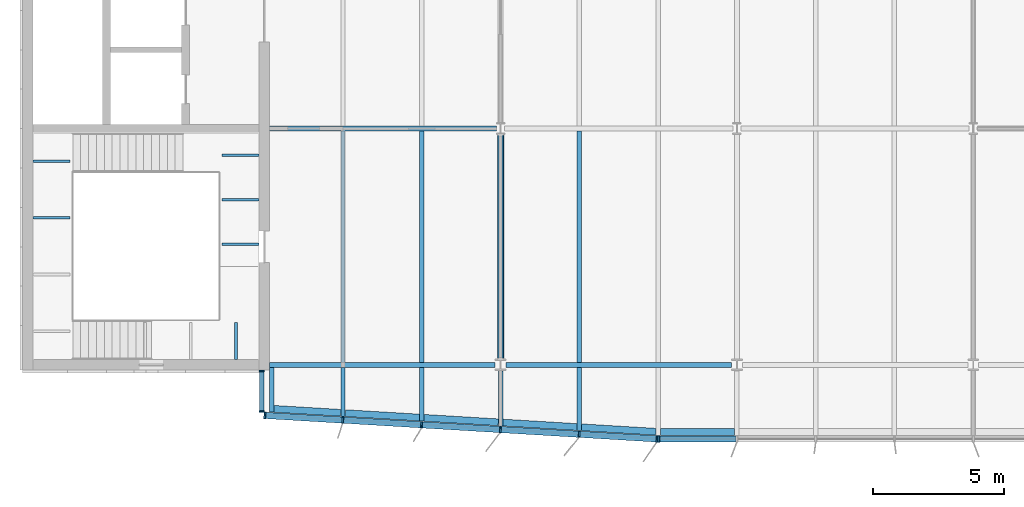
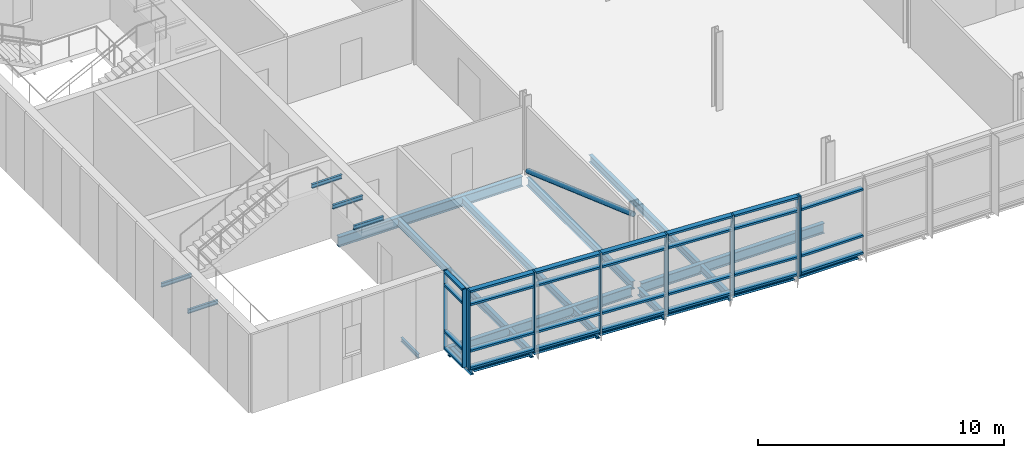
# One storey, part 2 of 18: 37 members, 24 beams, 3 elements without a shape of their own.
"""IFC4 building model written with IfcOpenShell, lengths in metres."""

from ifc_helpers import new_model, si_unit, direction, frame, origin, origin_2d, place, context, subcontext, project, spatial, rectangle, hollow_circle, i_section, extrude, material, material_profile, profile_set, type_object, element, aggregate, save


model = new_model("IFC4")

# Units and contexts
model_context = context("Model", 3, precision=1e-05, world=origin(), true_north=direction((0.0, 1.0)))
body_context = subcontext(model_context, "Body", "Model", "MODEL_VIEW")
ifc_project = project(units=[si_unit("LENGTHUNIT", "METRE"), si_unit("AREAUNIT", "SQUARE_METRE"), si_unit("VOLUMEUNIT", "CUBIC_METRE"), si_unit("PLANEANGLEUNIT", "RADIAN"), si_unit("MASSUNIT", "GRAM", prefix="KILO")], contexts=[model_context])

# Site, building, storey
site_placement = place(None, origin())
site = spatial("IfcSite", under=ifc_project, at=site_placement, CompositionType="ELEMENT")
building_placement = place(site_placement, origin())
building = spatial("IfcBuilding", under=site, at=building_placement, Name="Azimuth Sports and Learning Centre", CompositionType="ELEMENT")
storey_placement = place(building_placement, frame((0.0, 0.0, 59.699951171875)))
storey = spatial("IfcBuildingStorey", under=building, at=storey_placement, Name="L13", CompositionType="ELEMENT", Elevation=59.699951171875)

# Beams
ifc_material_1 = material(Name="Steel S355", Category="steel")
ifc_material_profile_1 = material_profile(ifc_material_1, i_section(OverallWidth=0.10009765625, OverallDepth=0.199951171875, WebThickness=0.005615234375, FlangeThickness=0.008544921875, FilletRadius=0.011962890625, at=origin_2d()), Name="IPE 200")
ifc_profile_set_1 = profile_set([ifc_material_profile_1], Name="Steel S355")
beam_type_1 = type_object("IfcBeamType", Name="Beam IPE 200", PredefinedType="BEAM", material=ifc_profile_set_1)
for number, where, z_axis, x_axis, name in (
    (1, (61.9267578125, 90.199951171875, -0.300048828125), (0.0, 1.0, 0.0), (-1.0, 0.0, 0.0), "Landing bracket W1 L13 131"),
    (2, (54.199951171875, 95.603759765625, 1.35009765625), (1.0, 0.0, 0.0), (0.0, 1.0, 0.0), "Landing bracket W1 L13 134"),
    (3, (54.199951171875, 97.76123046875, 1.35009765625), (1.0, 0.0, 0.0), (0.0, 1.0, 0.0), "Landing bracket W1 L13 135"),
    (4, (62.800048828125, 94.598388671875, 3.60009765625), (-1.0, 0.0, 0.0), (0.0, -1.0, 0.0), "Landing bracket W1 L13 136"),
    (5, (62.800048828125, 96.294921875, 3.60009765625), (-1.0, 0.0, 0.0), (0.0, -1.0, 0.0), "Landing bracket W1 L13 137"),
    (6, (62.800048828125, 97.99169921875, 3.60009765625), (-1.0, 0.0, 0.0), (0.0, -1.0, 0.0), "Landing bracket W1 L13 138"),
):
    element("IfcBeam", number, at=place(storey_placement, frame(where, z_axis=z_axis, x_axis=x_axis)), inside=storey, type_object=beam_type_1, Name=name, PredefinedType="BEAM", context=body_context, shape_type="SweptSolid", body=[
        extrude(i_section(OverallWidth=0.10009765625, OverallDepth=0.199951171875, WebThickness=0.005615234375, FlangeThickness=0.008544921875, FilletRadius=0.011962890625, at=origin_2d()), origin(), (0.0, 0.0, 1.0), 1.41015625),
    ])
ifc_material_2 = material(Name="Steel S355", Category="steel")
ifc_material_profile_2 = material_profile(ifc_material_2, i_section(OverallWidth=0.179931640625, OverallDepth=0.39990234375, WebThickness=0.008544921875, FlangeThickness=0.013427734375, FilletRadius=0.02099609375, at=origin_2d()), Name="IPE 400")
ifc_profile_set_2 = profile_set([ifc_material_profile_2], Name="Steel S355")
beam_type_2 = type_object("IfcBeamType", Name="Beam IPE 400", PredefinedType="BEAM", material=ifc_profile_set_2)
beam_1_placement = place(storey_placement, frame((72.0, 90.2275390625, -0.329833984375), z_axis=(0.0, 1.0, 0.0), x_axis=(-1.0, 0.0, 0.0)))
element("IfcBeam", 7, at=beam_1_placement, inside=storey, type_object=beam_type_2, Name="Tower tie", PredefinedType="BEAM", context=body_context, shape_type="SweptSolid", body=[
    extrude(i_section(OverallWidth=0.179931640625, OverallDepth=0.39990234375, WebThickness=0.008544921875, FlangeThickness=0.013427734375, FilletRadius=0.02099609375, at=origin_2d()), origin(), (0.0, 0.0, 1.0), 8.556396484375),
])
ifc_material_3 = material(Name="Steel S355", Category="steel")
ifc_material_profile_3 = material_profile(ifc_material_3, i_section(OverallWidth=0.199951171875, OverallDepth=0.5, WebThickness=0.01025390625, FlangeThickness=0.01611328125, FilletRadius=0.02099609375, at=origin_2d()), Name="IPE 500")
ifc_profile_set_3 = profile_set([ifc_material_profile_3], Name="Steel S355")
beam_type_3 = type_object("IfcBeamType", Name="Beam IPE 500", PredefinedType="BEAM", material=ifc_profile_set_3)
beam_2_placement = place(storey_placement, frame((63.199951171875, 90.0, -0.3798828125), z_axis=(1.0, 0.0, 0.0), x_axis=(0.0, 1.0, 0.0)))
element("IfcBeam", 8, at=beam_2_placement, inside=storey, type_object=beam_type_3, Name="Tower girder L13", PredefinedType="BEAM", context=body_context, shape_type="SweptSolid", body=[
    extrude(i_section(OverallWidth=0.199951171875, OverallDepth=0.5, WebThickness=0.01025390625, FlangeThickness=0.01611328125, FilletRadius=0.02099609375, at=origin_2d()), origin(), (0.0, 0.0, 1.0), 8.591064453125),
])
beam_3_placement = place(storey_placement, frame((72.208984375, 90.0, -0.3798828125), z_axis=(1.0, 0.0, 0.0), x_axis=(0.0, 1.0, 0.0)))
element("IfcBeam", 9, at=beam_3_placement, inside=storey, type_object=beam_type_3, Name="Tower girder L13", PredefinedType="BEAM", context=body_context, shape_type="SweptSolid", body=[
    extrude(i_section(OverallWidth=0.199951171875, OverallDepth=0.5, WebThickness=0.01025390625, FlangeThickness=0.01611328125, FilletRadius=0.02099609375, at=origin_2d()), origin(), (0.0, 0.0, 1.0), 8.58203125),
])
beam_4_placement = place(storey_placement, frame((63.199951171875, 99.0, -0.3798828125), z_axis=(1.0, 0.0, 0.0), x_axis=(0.0, 1.0, 0.0)))
element("IfcBeam", 10, at=beam_4_placement, inside=storey, type_object=beam_type_3, Name="Tower girder L13", PredefinedType="BEAM", context=body_context, shape_type="SweptSolid", body=[
    extrude(i_section(OverallWidth=0.199951171875, OverallDepth=0.5, WebThickness=0.01025390625, FlangeThickness=0.01611328125, FilletRadius=0.02099609375, at=origin_2d()), origin(), (0.0, 0.0, 1.0), 8.646484375),
])

# Member
ifc_material_4 = material(Name="Steel S355", Category="steel")
ifc_material_profile_4 = material_profile(ifc_material_4, hollow_circle(Radius=0.122314453125, WallThickness=0.012451171875, at=origin_2d()), Name="CHS 244.5x12.5")
ifc_profile_set_4 = profile_set([ifc_material_profile_4], Name="Steel S355")
member_type_1 = type_object("IfcMemberType", Name="Brace CHS 244.5x12.5", PredefinedType="BRACE", material=ifc_profile_set_4)
member_1_placement = place(storey_placement, frame((72.0, 90.238525390625, 3.200439453125), z_axis=(0.0, 0.942219611657, -0.334995825957), x_axis=(-1.0, 0.0, 0.0)))
element("IfcMember", 11, at=member_1_placement, inside=storey, type_object=member_type_1, Name="Tower brace 9 L13", PredefinedType="BRACE", context=body_context, shape_type="SweptSolid", body=[
    extrude(hollow_circle(Radius=0.122314453125, WallThickness=0.012451171875, at=origin_2d()), origin(), (0.0, 0.0, 1.0), 9.047119140625),
])

# Beams
ifc_material_5 = material(Name="Steel S355", Category="steel")
ifc_material_profile_5 = material_profile(ifc_material_5, i_section(OverallWidth=0.169921875, OverallDepth=0.360107421875, WebThickness=0.008056640625, FlangeThickness=0.0126953125, FilletRadius=0.01806640625, at=origin_2d()), Name="IPE 360")
ifc_profile_set_5 = profile_set([ifc_material_profile_5], Name="Steel S355")
beam_type_4 = type_object("IfcBeamType", Name="Cantilever stub IPE 360", PredefinedType="JOIST", material=ifc_profile_set_5)
beam_5_placement = place(storey_placement, frame((63.284912109375, 89.89990234375, -0.31005859375), z_axis=(0.0, -1.0, 0.0), x_axis=(1.0, 0.0, 0.0)))
element("IfcBeam", 12, at=beam_5_placement, inside=storey, type_object=beam_type_4, Name="Tower cantilever stub", PredefinedType="JOIST", context=body_context, shape_type="SweptSolid", body=[
    extrude(i_section(OverallWidth=0.169921875, OverallDepth=0.360107421875, WebThickness=0.008056640625, FlangeThickness=0.0126953125, FilletRadius=0.01806640625, at=origin_2d()), origin(), (0.0, 0.0, 1.0), 1.697021484375),
])
beam_6_placement = place(storey_placement, frame((66.0, 89.89990234375, -0.31005859375), z_axis=(0.0, -1.0, 0.0), x_axis=(1.0, 0.0, 0.0)))
element("IfcBeam", 13, at=beam_6_placement, inside=storey, type_object=beam_type_4, Name="Tower cantilever stub", PredefinedType="JOIST", context=body_context, shape_type="SweptSolid", body=[
    extrude(i_section(OverallWidth=0.169921875, OverallDepth=0.360107421875, WebThickness=0.008056640625, FlangeThickness=0.0126953125, FilletRadius=0.01806640625, at=origin_2d()), origin(), (0.0, 0.0, 1.0), 1.85986328125),
])
beam_7_placement = place(storey_placement, frame((69.0, 89.89990234375, -0.31005859375), z_axis=(0.0, -1.0, 0.0), x_axis=(1.0, 0.0, 0.0)))
element("IfcBeam", 14, at=beam_7_placement, inside=storey, type_object=beam_type_4, Name="Tower cantilever stub", PredefinedType="JOIST", context=body_context, shape_type="SweptSolid", body=[
    extrude(i_section(OverallWidth=0.169921875, OverallDepth=0.360107421875, WebThickness=0.008056640625, FlangeThickness=0.0126953125, FilletRadius=0.01806640625, at=origin_2d()), origin(), (0.0, 0.0, 1.0), 2.039794921875),
])
beam_8_placement = place(storey_placement, frame((72.0, 89.7724609375, -0.31005859375), z_axis=(0.0, -1.0, 0.0), x_axis=(1.0, 0.0, 0.0)))
element("IfcBeam", 15, at=beam_8_placement, inside=storey, type_object=beam_type_4, Name="Tower cantilever stub", PredefinedType="JOIST", context=body_context, shape_type="SweptSolid", body=[
    extrude(i_section(OverallWidth=0.169921875, OverallDepth=0.360107421875, WebThickness=0.008056640625, FlangeThickness=0.0126953125, FilletRadius=0.01806640625, at=origin_2d()), origin(), (0.0, 0.0, 1.0), 2.092529296875),
])
beam_9_placement = place(storey_placement, frame((75.0, 89.89990234375, -0.31005859375), z_axis=(0.0, -1.0, 0.0), x_axis=(1.0, 0.0, 0.0)))
element("IfcBeam", 16, at=beam_9_placement, inside=storey, type_object=beam_type_4, Name="Tower cantilever stub", PredefinedType="JOIST", context=body_context, shape_type="SweptSolid", body=[
    extrude(i_section(OverallWidth=0.169921875, OverallDepth=0.360107421875, WebThickness=0.008056640625, FlangeThickness=0.0126953125, FilletRadius=0.01806640625, at=origin_2d()), origin(), (0.0, 0.0, 1.0), 2.39990234375),
])
ifc_material_6 = material(Name="Steel S355", Category="steel")
ifc_material_profile_6 = material_profile(ifc_material_6, i_section(OverallWidth=0.260009765625, OverallDepth=0.25, WebThickness=0.007568359375, FlangeThickness=0.012451171875, FilletRadius=0.02392578125, at=origin_2d()), Name="HEA 260")
ifc_profile_set_6 = profile_set([ifc_material_profile_6], Name="Steel S355")
beam_type_5 = type_object("IfcBeamType", Name="Edge beam HEA 260", PredefinedType="SPANDREL", material=ifc_profile_set_6)
beam_10_placement = place(storey_placement, frame((63.3701171875, 88.327880859375, -0.2548828125), z_axis=(0.998201638043, -0.05994572385, 0.0), x_axis=(0.05994572385, 0.998201638043, 0.0)))
element("IfcBeam", 17, at=beam_10_placement, inside=storey, type_object=beam_type_5, Name="Tower edge beam", PredefinedType="SPANDREL", context=body_context, shape_type="SweptSolid", body=[
    extrude(i_section(OverallWidth=0.260009765625, OverallDepth=0.25, WebThickness=0.007568359375, FlangeThickness=0.012451171875, FilletRadius=0.02392578125, at=origin_2d()), origin(), (0.0, 0.0, 1.0), 2.549560546875),
])
for number, where, z_axis, x_axis, name in (
    (18, (66.0849609375, 88.164794921875, -0.2548828125), (0.998207521518, -0.059847673176, 0.0), (0.059847673176, 0.998207521518, 0.0), "Tower edge beam"),
    (19, (69.0849609375, 87.98486328125, -0.2548828125), (0.998207521518, -0.059847673176, 0.0), (0.059847673176, 0.998207521518, 0.0), "Tower edge beam"),
    (20, (72.0849609375, 87.804931640625, -0.2548828125), (0.998202373506, -0.059933475842, 0.0), (0.059933475842, 0.998202373506, 0.0), "Tower edge beam"),
    (21, (75.0849609375, 87.625, -0.2548828125), (0.998202373506, -0.059933475842, 0.0), (0.059933475842, 0.998202373506, 0.0), "Tower edge beam"),
):
    element("IfcBeam", number, at=place(storey_placement, frame(where, z_axis=z_axis, x_axis=x_axis)), inside=storey, type_object=beam_type_5, Name=name, PredefinedType="SPANDREL", context=body_context, shape_type="SweptSolid", body=[
        extrude(i_section(OverallWidth=0.260009765625, OverallDepth=0.25, WebThickness=0.007568359375, FlangeThickness=0.012451171875, FilletRadius=0.02392578125, at=origin_2d()), origin(), (0.0, 0.0, 1.0), 2.835205078125),
    ])
beam_11_placement = place(storey_placement, frame((78.0849609375, 87.449951171875, -0.2548828125), z_axis=(1.0, 0.0, 0.0), x_axis=(0.0, 1.0, 0.0)))
element("IfcBeam", 22, at=beam_11_placement, inside=storey, type_object=beam_type_5, Name="Tower edge beam", PredefinedType="SPANDREL", context=body_context, shape_type="SweptSolid", body=[
    extrude(i_section(OverallWidth=0.260009765625, OverallDepth=0.25, WebThickness=0.007568359375, FlangeThickness=0.012451171875, FilletRadius=0.02392578125, at=origin_2d()), origin(), (0.0, 0.0, 1.0), 2.830078125),
])
ifc_material_7 = material(Name="Steel S355", Category="steel")
ifc_material_profile_7 = material_profile(ifc_material_7, i_section(OverallWidth=0.169921875, OverallDepth=0.360107421875, WebThickness=0.008056640625, FlangeThickness=0.0126953125, FilletRadius=0.01806640625, at=origin_2d()), Name="IPE 360")
ifc_profile_set_7 = profile_set([ifc_material_profile_7], Name="Steel S355")
beam_type_6 = type_object("IfcBeamType", Name="Joist IPE 360", PredefinedType="JOIST", material=ifc_profile_set_7)
for number, where, z_axis, x_axis, name in (
    (23, (66.0, 90.10009765625, -0.31005859375), (0.0, 1.0, 0.0), (-1.0, 0.0, 0.0), "Tower joist"),
    (24, (69.0, 90.10009765625, -0.31005859375), (0.0, 1.0, 0.0), (-1.0, 0.0, 0.0), "Tower joist"),
    (25, (75.0, 90.10009765625, -0.31005859375), (0.0, 1.0, 0.0), (-1.0, 0.0, 0.0), "Tower joist"),
):
    element("IfcBeam", number, at=place(storey_placement, frame(where, z_axis=z_axis, x_axis=x_axis)), inside=storey, type_object=beam_type_6, Name=name, PredefinedType="JOIST", context=body_context, shape_type="SweptSolid", body=[
        extrude(i_section(OverallWidth=0.169921875, OverallDepth=0.360107421875, WebThickness=0.008056640625, FlangeThickness=0.0126953125, FilletRadius=0.01806640625, at=origin_2d()), origin(), (0.0, 0.0, 1.0), 8.7998046875),
    ])

# Curtain wall, members
ifc_material_8 = material(Name="Aluminium and glass", Category="aluminium")
curtain_wall_type_1 = type_object("IfcCurtainWallType", Name="Curtain wall tower return 180", PredefinedType="NOTDEFINED", material=ifc_material_8)
curtain_wall_1_placement = place(storey_placement, origin())
curtain_wall_1 = element("IfcCurtainWall", 26, at=curtain_wall_1_placement, inside=storey, type_object=curtain_wall_type_1, Name="Curtain wall CW13-001", PredefinedType="NOTDEFINED")
ifc_material_9 = material(Name="Aluminium", Category="aluminium")
ifc_material_profile_8 = material_profile(ifc_material_9, rectangle(XDim=0.179931640625, YDim=0.06005859375, at=origin_2d()), Name="Mullion 60x180")
ifc_profile_set_8 = profile_set([ifc_material_profile_8], Name="Aluminium")
member_type_2 = type_object("IfcMemberType", Name="Mullion 60x180", PredefinedType="MULLION", material=ifc_profile_set_8)
member_2_placement = place(storey_placement, frame((62.909912109375, 89.77001953125, 0.0), z_axis=(0.0, 0.0, 1.0), x_axis=(1.0, 0.0, 0.0)))
member_2 = element("IfcMember", 27, at=member_2_placement, type_object=member_type_2, Name="CW13-001 mullion 1", PredefinedType="MULLION", context=body_context, shape_type="SweptSolid", body=[
    extrude(rectangle(XDim=0.179931640625, YDim=0.06005859375, at=origin_2d()), origin(), (0.0, 0.0, 1.0), 3.900146484375),
])
member_3_placement = place(storey_placement, frame((62.909912109375, 88.22998046875, 0.0), z_axis=(0.0, 0.0, 1.0), x_axis=(1.0, 0.0, 0.0)))
member_3 = element("IfcMember", 28, at=member_3_placement, type_object=member_type_2, Name="CW13-001 mullion 2", PredefinedType="MULLION", context=body_context, shape_type="SweptSolid", body=[
    extrude(rectangle(XDim=0.179931640625, YDim=0.06005859375, at=origin_2d()), origin(), (0.0, 0.0, 1.0), 3.900146484375),
])

ifc_material_10 = material(Name="Aluminium and glass", Category="aluminium")
curtain_wall_type_2 = type_object("IfcCurtainWallType", Name="Curtain wall tower south 240", PredefinedType="NOTDEFINED", material=ifc_material_10)
curtain_wall_2_placement = place(storey_placement, origin())
curtain_wall_2 = element("IfcCurtainWall", 29, at=curtain_wall_2_placement, inside=storey, type_object=curtain_wall_type_2, Name="Curtain wall CW13-002", PredefinedType="NOTDEFINED")
ifc_material_11 = material(Name="Aluminium", Category="aluminium")
ifc_material_profile_9 = material_profile(ifc_material_11, rectangle(XDim=0.239990234375, YDim=0.070068359375, at=origin_2d()), Name="Mullion 70x240")
ifc_profile_set_9 = profile_set([ifc_material_profile_9], Name="Aluminium")
member_type_3 = type_object("IfcMemberType", Name="Mullion 70x240", PredefinedType="MULLION", material=ifc_profile_set_9)
member_4_placement = place(storey_placement, frame((63.02783203125, 88.078125, 0.0), z_axis=(0.0, 0.0, 1.0), x_axis=(0.059891991812, 0.998204863401, 0.0)))
member_4 = element("IfcMember", 30, at=member_4_placement, type_object=member_type_3, Name="CW13-002 mullion 1", PredefinedType="MULLION", context=body_context, shape_type="SweptSolid", body=[
    extrude(rectangle(XDim=0.239990234375, YDim=0.070068359375, at=origin_2d()), origin(), (0.0, 0.0, 1.0), 3.900146484375),
])
member_5_placement = place(storey_placement, frame((65.992919921875, 87.900146484375, 0.0), z_axis=(0.0, 0.0, 1.0), x_axis=(0.059891991812, 0.998204863401, 0.0)))
member_5 = element("IfcMember", 31, at=member_5_placement, type_object=member_type_3, Name="CW13-002 mullion 2", PredefinedType="MULLION", context=body_context, shape_type="SweptSolid", body=[
    extrude(rectangle(XDim=0.239990234375, YDim=0.070068359375, at=origin_2d()), origin(), (0.0, 0.0, 1.0), 3.900146484375),
])
member_6_placement = place(storey_placement, frame((68.992919921875, 87.72021484375, 0.0), z_axis=(0.0, 0.0, 1.0), x_axis=(0.059891991812, 0.998204863401, 0.0)))
member_6 = element("IfcMember", 32, at=member_6_placement, type_object=member_type_3, Name="CW13-002 mullion 3", PredefinedType="MULLION", context=body_context, shape_type="SweptSolid", body=[
    extrude(rectangle(XDim=0.239990234375, YDim=0.070068359375, at=origin_2d()), origin(), (0.0, 0.0, 1.0), 3.900146484375),
])
member_7_placement = place(storey_placement, frame((71.992919921875, 87.540283203125, 0.0), z_axis=(0.0, 0.0, 1.0), x_axis=(0.059891991812, 0.998204863401, 0.0)))
member_7 = element("IfcMember", 33, at=member_7_placement, type_object=member_type_3, Name="CW13-002 mullion 4", PredefinedType="MULLION", context=body_context, shape_type="SweptSolid", body=[
    extrude(rectangle(XDim=0.239990234375, YDim=0.070068359375, at=origin_2d()), origin(), (0.0, 0.0, 1.0), 3.900146484375),
])
member_8_placement = place(storey_placement, frame((74.992919921875, 87.360107421875, 0.0), z_axis=(0.0, 0.0, 1.0), x_axis=(0.059891991812, 0.998204863401, 0.0)))
member_8 = element("IfcMember", 34, at=member_8_placement, type_object=member_type_3, Name="CW13-002 mullion 5", PredefinedType="MULLION", context=body_context, shape_type="SweptSolid", body=[
    extrude(rectangle(XDim=0.239990234375, YDim=0.070068359375, at=origin_2d()), origin(), (0.0, 0.0, 1.0), 3.900146484375),
])
member_9_placement = place(storey_placement, frame((77.957763671875, 87.182373046875, 0.0), z_axis=(0.0, 0.0, 1.0), x_axis=(0.059891991812, 0.998204863401, 0.0)))
member_9 = element("IfcMember", 35, at=member_9_placement, type_object=member_type_3, Name="CW13-002 mullion 6", PredefinedType="MULLION", context=body_context, shape_type="SweptSolid", body=[
    extrude(rectangle(XDim=0.239990234375, YDim=0.070068359375, at=origin_2d()), origin(), (0.0, 0.0, 1.0), 3.900146484375),
])

# Curtain wall, member
curtain_wall_3_placement = place(storey_placement, origin())
curtain_wall_3 = element("IfcCurtainWall", 36, at=curtain_wall_3_placement, inside=storey, type_object=curtain_wall_type_2, Name="Curtain wall CW13-003", PredefinedType="NOTDEFINED")
member_10_placement = place(storey_placement, frame((78.02783203125, 87.179931640625, 0.0), z_axis=(0.0, 0.0, 1.0), x_axis=(0.0, 1.0, 0.0)))
member_10 = element("IfcMember", 37, at=member_10_placement, type_object=member_type_3, Name="CW13-003 mullion 1", PredefinedType="MULLION", context=body_context, shape_type="SweptSolid", body=[
    extrude(rectangle(XDim=0.239990234375, YDim=0.070068359375, at=origin_2d()), origin(), (0.0, 0.0, 1.0), 3.900146484375),
])

# Member
ifc_material_12 = material(Name="Aluminium", Category="aluminium")
ifc_material_profile_10 = material_profile(ifc_material_12, rectangle(XDim=0.179931640625, YDim=0.10009765625, at=origin_2d()), Name="Transom 100x180")
ifc_profile_set_10 = profile_set([ifc_material_profile_10], Name="Aluminium")
member_type_4 = type_object("IfcMemberType", Name="Transom 100x180", PredefinedType="USERDEFINED", material=ifc_profile_set_10)
member_11_placement = place(storey_placement, frame((62.909912109375, 89.739990234375, 0.050048828125), z_axis=(0.0, -1.0, 0.0), x_axis=(1.0, 0.0, 0.0)))
member_11 = element("IfcMember", 38, at=member_11_placement, type_object=member_type_4, Name="CW13-001 transom 1.1", ObjectType="TRANSOM", PredefinedType="USERDEFINED", context=body_context, shape_type="SweptSolid", body=[
    extrude(rectangle(XDim=0.179931640625, YDim=0.10009765625, at=origin_2d()), origin(), (0.0, 0.0, 1.0), 1.47998046875),
])

member_12_placement = place(storey_placement, frame((62.909912109375, 89.739990234375, 0.900146484375), z_axis=(0.0, -1.0, 0.0), x_axis=(1.0, 0.0, 0.0)))
member_12 = element("IfcMember", 39, at=member_12_placement, type_object=member_type_4, Name="CW13-001 transom 1.2", ObjectType="TRANSOM", PredefinedType="USERDEFINED", context=body_context, shape_type="SweptSolid", body=[
    extrude(rectangle(XDim=0.179931640625, YDim=0.10009765625, at=origin_2d()), origin(), (0.0, 0.0, 1.0), 1.47998046875),
])

member_13_placement = place(storey_placement, frame((62.909912109375, 89.739990234375, 3.199951171875), z_axis=(0.0, -1.0, 0.0), x_axis=(1.0, 0.0, 0.0)))
member_13 = element("IfcMember", 40, at=member_13_placement, type_object=member_type_4, Name="CW13-001 transom 1.3", ObjectType="TRANSOM", PredefinedType="USERDEFINED", context=body_context, shape_type="SweptSolid", body=[
    extrude(rectangle(XDim=0.179931640625, YDim=0.10009765625, at=origin_2d()), origin(), (0.0, 0.0, 1.0), 1.47998046875),
])

member_14_placement = place(storey_placement, frame((62.909912109375, 89.739990234375, 3.85009765625), z_axis=(0.0, -1.0, 0.0), x_axis=(1.0, 0.0, 0.0)))
member_14 = element("IfcMember", 41, at=member_14_placement, type_object=member_type_4, Name="CW13-001 transom 1.4", ObjectType="TRANSOM", PredefinedType="USERDEFINED", context=body_context, shape_type="SweptSolid", body=[
    extrude(rectangle(XDim=0.179931640625, YDim=0.10009765625, at=origin_2d()), origin(), (0.0, 0.0, 1.0), 1.47998046875),
])

aggregate(curtain_wall_1, [member_2, member_3, member_11, member_12, member_13, member_14])

ifc_material_13 = material(Name="Aluminium", Category="aluminium")
ifc_material_profile_11 = material_profile(ifc_material_13, rectangle(XDim=0.239990234375, YDim=0.10009765625, at=origin_2d()), Name="Transom 100x240")
ifc_profile_set_11 = profile_set([ifc_material_profile_11], Name="Aluminium")
member_type_5 = type_object("IfcMemberType", Name="Transom 100x240", PredefinedType="USERDEFINED", material=ifc_profile_set_11)
member_15_placement = place(storey_placement, frame((63.062744140625, 88.075927734375, 0.050048828125), z_axis=(0.998207260343, -0.059852029187, 0.0), x_axis=(0.059852029187, 0.998207260343, 0.0)))
member_15 = element("IfcMember", 42, at=member_15_placement, type_object=member_type_5, Name="CW13-002 transom 1.1", ObjectType="TRANSOM", PredefinedType="USERDEFINED", context=body_context, shape_type="SweptSolid", body=[
    extrude(rectangle(XDim=0.239990234375, YDim=0.10009765625, at=origin_2d()), origin(), (0.0, 0.0, 1.0), 2.900146484375),
])

member_16_placement = place(storey_placement, frame((63.062744140625, 88.075927734375, 0.900146484375), z_axis=(0.998207260343, -0.059852029187, 0.0), x_axis=(0.059852029187, 0.998207260343, 0.0)))
member_16 = element("IfcMember", 43, at=member_16_placement, type_object=member_type_5, Name="CW13-002 transom 1.2", ObjectType="TRANSOM", PredefinedType="USERDEFINED", context=body_context, shape_type="SweptSolid", body=[
    extrude(rectangle(XDim=0.239990234375, YDim=0.10009765625, at=origin_2d()), origin(), (0.0, 0.0, 1.0), 2.900146484375),
])

member_17_placement = place(storey_placement, frame((63.062744140625, 88.075927734375, 3.199951171875), z_axis=(0.998207260343, -0.059852029187, 0.0), x_axis=(0.059852029187, 0.998207260343, 0.0)))
member_17 = element("IfcMember", 44, at=member_17_placement, type_object=member_type_5, Name="CW13-002 transom 1.3", ObjectType="TRANSOM", PredefinedType="USERDEFINED", context=body_context, shape_type="SweptSolid", body=[
    extrude(rectangle(XDim=0.239990234375, YDim=0.10009765625, at=origin_2d()), origin(), (0.0, 0.0, 1.0), 2.900146484375),
])

member_18_placement = place(storey_placement, frame((63.062744140625, 88.075927734375, 3.85009765625), z_axis=(0.998207260343, -0.059852029187, 0.0), x_axis=(0.059852029187, 0.998207260343, 0.0)))
member_18 = element("IfcMember", 45, at=member_18_placement, type_object=member_type_5, Name="CW13-002 transom 1.4", ObjectType="TRANSOM", PredefinedType="USERDEFINED", context=body_context, shape_type="SweptSolid", body=[
    extrude(rectangle(XDim=0.239990234375, YDim=0.10009765625, at=origin_2d()), origin(), (0.0, 0.0, 1.0), 2.900146484375),
])

member_19_placement = place(storey_placement, frame((66.02783203125, 87.898193359375, 0.050048828125), z_axis=(0.998205143816, -0.059887318019, 0.0), x_axis=(0.059887318019, 0.998205143816, 0.0)))
member_19 = element("IfcMember", 46, at=member_19_placement, type_object=member_type_5, Name="CW13-002 transom 2.1", ObjectType="TRANSOM", PredefinedType="USERDEFINED", context=body_context, shape_type="SweptSolid", body=[
    extrude(rectangle(XDim=0.239990234375, YDim=0.10009765625, at=origin_2d()), origin(), (0.0, 0.0, 1.0), 2.935302734375),
])

member_20_placement = place(storey_placement, frame((66.02783203125, 87.898193359375, 0.900146484375), z_axis=(0.998205143816, -0.059887318019, 0.0), x_axis=(0.059887318019, 0.998205143816, 0.0)))
member_20 = element("IfcMember", 47, at=member_20_placement, type_object=member_type_5, Name="CW13-002 transom 2.2", ObjectType="TRANSOM", PredefinedType="USERDEFINED", context=body_context, shape_type="SweptSolid", body=[
    extrude(rectangle(XDim=0.239990234375, YDim=0.10009765625, at=origin_2d()), origin(), (0.0, 0.0, 1.0), 2.935302734375),
])

member_21_placement = place(storey_placement, frame((66.02783203125, 87.898193359375, 3.199951171875), z_axis=(0.998205143816, -0.059887318019, 0.0), x_axis=(0.059887318019, 0.998205143816, 0.0)))
member_21 = element("IfcMember", 48, at=member_21_placement, type_object=member_type_5, Name="CW13-002 transom 2.3", ObjectType="TRANSOM", PredefinedType="USERDEFINED", context=body_context, shape_type="SweptSolid", body=[
    extrude(rectangle(XDim=0.239990234375, YDim=0.10009765625, at=origin_2d()), origin(), (0.0, 0.0, 1.0), 2.935302734375),
])

member_22_placement = place(storey_placement, frame((66.02783203125, 87.898193359375, 3.85009765625), z_axis=(0.998205143816, -0.059887318019, 0.0), x_axis=(0.059887318019, 0.998205143816, 0.0)))
member_22 = element("IfcMember", 49, at=member_22_placement, type_object=member_type_5, Name="CW13-002 transom 2.4", ObjectType="TRANSOM", PredefinedType="USERDEFINED", context=body_context, shape_type="SweptSolid", body=[
    extrude(rectangle(XDim=0.239990234375, YDim=0.10009765625, at=origin_2d()), origin(), (0.0, 0.0, 1.0), 2.935302734375),
])

member_23_placement = place(storey_placement, frame((69.02783203125, 87.718017578125, 0.050048828125), z_axis=(0.998205143816, -0.059887318019, 0.0), x_axis=(0.059887318019, 0.998205143816, 0.0)))
member_23 = element("IfcMember", 50, at=member_23_placement, type_object=member_type_5, Name="CW13-002 transom 3.1", ObjectType="TRANSOM", PredefinedType="USERDEFINED", context=body_context, shape_type="SweptSolid", body=[
    extrude(rectangle(XDim=0.239990234375, YDim=0.10009765625, at=origin_2d()), origin(), (0.0, 0.0, 1.0), 2.935302734375),
])

member_24_placement = place(storey_placement, frame((69.02783203125, 87.718017578125, 0.900146484375), z_axis=(0.998205143816, -0.059887318019, 0.0), x_axis=(0.059887318019, 0.998205143816, 0.0)))
member_24 = element("IfcMember", 51, at=member_24_placement, type_object=member_type_5, Name="CW13-002 transom 3.2", ObjectType="TRANSOM", PredefinedType="USERDEFINED", context=body_context, shape_type="SweptSolid", body=[
    extrude(rectangle(XDim=0.239990234375, YDim=0.10009765625, at=origin_2d()), origin(), (0.0, 0.0, 1.0), 2.935302734375),
])

member_25_placement = place(storey_placement, frame((69.02783203125, 87.718017578125, 3.199951171875), z_axis=(0.998205143816, -0.059887318019, 0.0), x_axis=(0.059887318019, 0.998205143816, 0.0)))
member_25 = element("IfcMember", 52, at=member_25_placement, type_object=member_type_5, Name="CW13-002 transom 3.3", ObjectType="TRANSOM", PredefinedType="USERDEFINED", context=body_context, shape_type="SweptSolid", body=[
    extrude(rectangle(XDim=0.239990234375, YDim=0.10009765625, at=origin_2d()), origin(), (0.0, 0.0, 1.0), 2.935302734375),
])

member_26_placement = place(storey_placement, frame((69.02783203125, 87.718017578125, 3.85009765625), z_axis=(0.998205143816, -0.059887318019, 0.0), x_axis=(0.059887318019, 0.998205143816, 0.0)))
member_26 = element("IfcMember", 53, at=member_26_placement, type_object=member_type_5, Name="CW13-002 transom 3.4", ObjectType="TRANSOM", PredefinedType="USERDEFINED", context=body_context, shape_type="SweptSolid", body=[
    extrude(rectangle(XDim=0.239990234375, YDim=0.10009765625, at=origin_2d()), origin(), (0.0, 0.0, 1.0), 2.935302734375),
])

member_27_placement = place(storey_placement, frame((72.02783203125, 87.5380859375, 0.050048828125), z_axis=(0.998205143816, -0.059887318019, 0.0), x_axis=(0.059887318019, 0.998205143816, 0.0)))
member_27 = element("IfcMember", 54, at=member_27_placement, type_object=member_type_5, Name="CW13-002 transom 4.1", ObjectType="TRANSOM", PredefinedType="USERDEFINED", context=body_context, shape_type="SweptSolid", body=[
    extrude(rectangle(XDim=0.239990234375, YDim=0.10009765625, at=origin_2d()), origin(), (0.0, 0.0, 1.0), 2.935302734375),
])

member_28_placement = place(storey_placement, frame((72.02783203125, 87.5380859375, 0.900146484375), z_axis=(0.998205143816, -0.059887318019, 0.0), x_axis=(0.059887318019, 0.998205143816, 0.0)))
member_28 = element("IfcMember", 55, at=member_28_placement, type_object=member_type_5, Name="CW13-002 transom 4.2", ObjectType="TRANSOM", PredefinedType="USERDEFINED", context=body_context, shape_type="SweptSolid", body=[
    extrude(rectangle(XDim=0.239990234375, YDim=0.10009765625, at=origin_2d()), origin(), (0.0, 0.0, 1.0), 2.935302734375),
])

member_29_placement = place(storey_placement, frame((72.02783203125, 87.5380859375, 3.199951171875), z_axis=(0.998205143816, -0.059887318019, 0.0), x_axis=(0.059887318019, 0.998205143816, 0.0)))
member_29 = element("IfcMember", 56, at=member_29_placement, type_object=member_type_5, Name="CW13-002 transom 4.3", ObjectType="TRANSOM", PredefinedType="USERDEFINED", context=body_context, shape_type="SweptSolid", body=[
    extrude(rectangle(XDim=0.239990234375, YDim=0.10009765625, at=origin_2d()), origin(), (0.0, 0.0, 1.0), 2.935302734375),
])

member_30_placement = place(storey_placement, frame((72.02783203125, 87.5380859375, 3.85009765625), z_axis=(0.998205143816, -0.059887318019, 0.0), x_axis=(0.059887318019, 0.998205143816, 0.0)))
member_30 = element("IfcMember", 57, at=member_30_placement, type_object=member_type_5, Name="CW13-002 transom 4.4", ObjectType="TRANSOM", PredefinedType="USERDEFINED", context=body_context, shape_type="SweptSolid", body=[
    extrude(rectangle(XDim=0.239990234375, YDim=0.10009765625, at=origin_2d()), origin(), (0.0, 0.0, 1.0), 2.935302734375),
])

member_31_placement = place(storey_placement, frame((75.02783203125, 87.358154296875, 0.050048828125), z_axis=(0.998202227529, -0.059935907067, 0.0), x_axis=(0.059935907067, 0.998202227529, 0.0)))
member_31 = element("IfcMember", 58, at=member_31_placement, type_object=member_type_5, Name="CW13-002 transom 5.1", ObjectType="TRANSOM", PredefinedType="USERDEFINED", context=body_context, shape_type="SweptSolid", body=[
    extrude(rectangle(XDim=0.239990234375, YDim=0.10009765625, at=origin_2d()), origin(), (0.0, 0.0, 1.0), 2.900146484375),
])

member_32_placement = place(storey_placement, frame((75.02783203125, 87.358154296875, 0.900146484375), z_axis=(0.998202227529, -0.059935907067, 0.0), x_axis=(0.059935907067, 0.998202227529, 0.0)))
member_32 = element("IfcMember", 59, at=member_32_placement, type_object=member_type_5, Name="CW13-002 transom 5.2", ObjectType="TRANSOM", PredefinedType="USERDEFINED", context=body_context, shape_type="SweptSolid", body=[
    extrude(rectangle(XDim=0.239990234375, YDim=0.10009765625, at=origin_2d()), origin(), (0.0, 0.0, 1.0), 2.900146484375),
])

member_33_placement = place(storey_placement, frame((75.02783203125, 87.358154296875, 3.199951171875), z_axis=(0.998202227529, -0.059935907067, 0.0), x_axis=(0.059935907067, 0.998202227529, 0.0)))
member_33 = element("IfcMember", 60, at=member_33_placement, type_object=member_type_5, Name="CW13-002 transom 5.3", ObjectType="TRANSOM", PredefinedType="USERDEFINED", context=body_context, shape_type="SweptSolid", body=[
    extrude(rectangle(XDim=0.239990234375, YDim=0.10009765625, at=origin_2d()), origin(), (0.0, 0.0, 1.0), 2.900146484375),
])

member_34_placement = place(storey_placement, frame((75.02783203125, 87.358154296875, 3.85009765625), z_axis=(0.998202227529, -0.059935907067, 0.0), x_axis=(0.059935907067, 0.998202227529, 0.0)))
member_34 = element("IfcMember", 61, at=member_34_placement, type_object=member_type_5, Name="CW13-002 transom 5.4", ObjectType="TRANSOM", PredefinedType="USERDEFINED", context=body_context, shape_type="SweptSolid", body=[
    extrude(rectangle(XDim=0.239990234375, YDim=0.10009765625, at=origin_2d()), origin(), (0.0, 0.0, 1.0), 2.900146484375),
])

aggregate(curtain_wall_2, [member_4, member_5, member_6, member_7, member_8, member_9, member_15, member_16, member_17, member_18, member_19, member_20, member_21, member_22, member_23, member_24, member_25, member_26, member_27, member_28, member_29, member_30, member_31, member_32, member_33, member_34])

member_35_placement = place(storey_placement, frame((78.062744140625, 87.179931640625, 0.050048828125), z_axis=(1.0, 0.0, 0.0), x_axis=(0.0, 1.0, 0.0)))
member_35 = element("IfcMember", 62, at=member_35_placement, type_object=member_type_5, Name="CW13-003 transom 1.1", ObjectType="TRANSOM", PredefinedType="USERDEFINED", context=body_context, shape_type="SweptSolid", body=[
    extrude(rectangle(XDim=0.239990234375, YDim=0.10009765625, at=origin_2d()), origin(), (0.0, 0.0, 1.0), 2.90234375),
])

member_36_placement = place(storey_placement, frame((78.062744140625, 87.179931640625, 0.900146484375), z_axis=(1.0, 0.0, 0.0), x_axis=(0.0, 1.0, 0.0)))
member_36 = element("IfcMember", 63, at=member_36_placement, type_object=member_type_5, Name="CW13-003 transom 1.2", ObjectType="TRANSOM", PredefinedType="USERDEFINED", context=body_context, shape_type="SweptSolid", body=[
    extrude(rectangle(XDim=0.239990234375, YDim=0.10009765625, at=origin_2d()), origin(), (0.0, 0.0, 1.0), 2.90234375),
])

member_37_placement = place(storey_placement, frame((78.062744140625, 87.179931640625, 3.199951171875), z_axis=(1.0, 0.0, 0.0), x_axis=(0.0, 1.0, 0.0)))
member_37 = element("IfcMember", 64, at=member_37_placement, type_object=member_type_5, Name="CW13-003 transom 1.3", ObjectType="TRANSOM", PredefinedType="USERDEFINED", context=body_context, shape_type="SweptSolid", body=[
    extrude(rectangle(XDim=0.239990234375, YDim=0.10009765625, at=origin_2d()), origin(), (0.0, 0.0, 1.0), 2.90234375),
])

aggregate(curtain_wall_3, [member_10, member_35, member_36, member_37])

save(model, "model.ifc")
